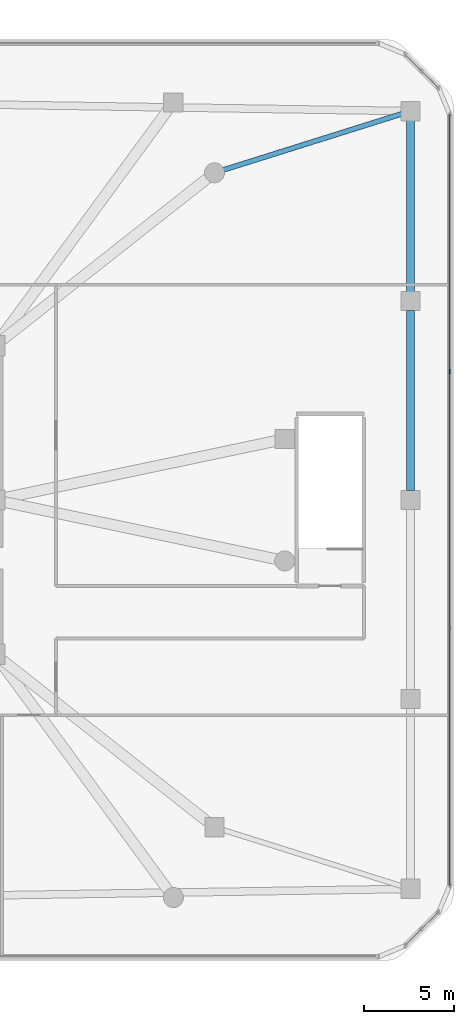
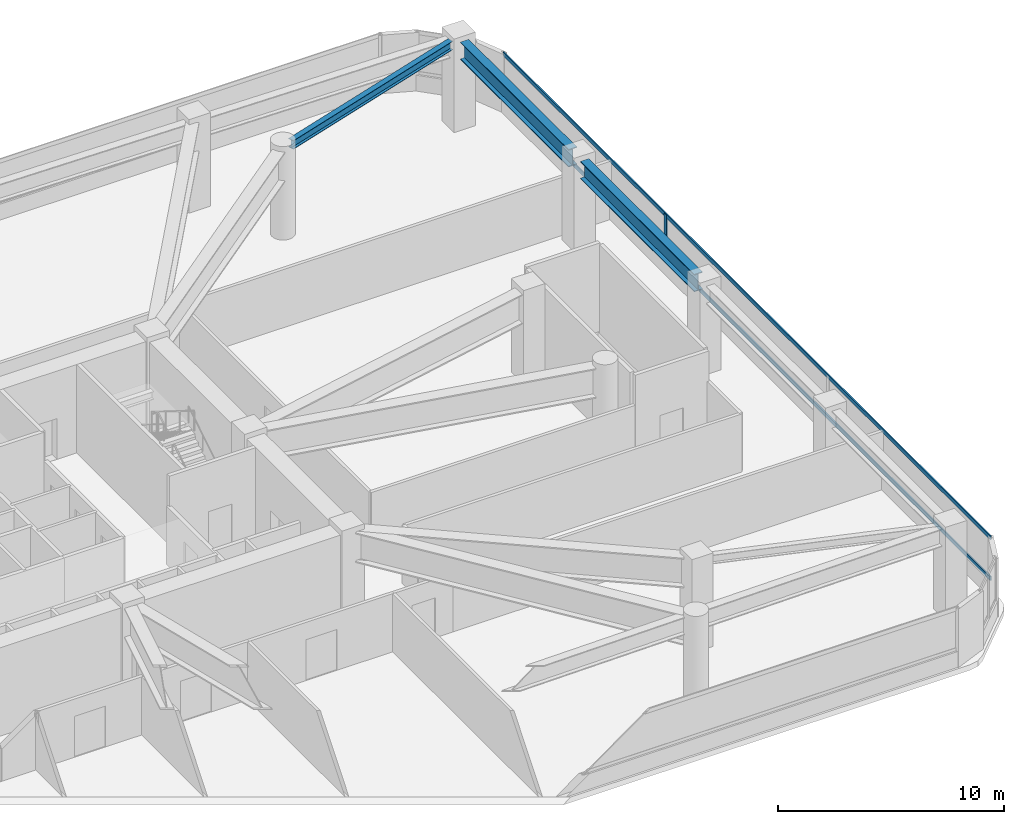
# One storey, part 10 of 21: 3 beams, 3 members, 1 element without a shape of its own.
"""IFC4 building model written with IfcOpenShell, lengths in metres."""

from ifc_helpers import new_model, si_unit, derived_unit, direction, frame, origin, origin_2d, place, context, subcontext, project, spatial, rectangle, i_section, extrude, material, material_profile, profile_set, type_object, element, aggregate, save


model = new_model("IFC4")

# Units and contexts
model_context = context("Model", 3, precision=1e-05, world=origin(), true_north=direction((0.0, 1.0)))
body_context = subcontext(model_context, "Body", "Model", "MODEL_VIEW")
ifc_project = project(units=[si_unit("LENGTHUNIT", "METRE"), si_unit("AREAUNIT", "SQUARE_METRE"), si_unit("VOLUMEUNIT", "CUBIC_METRE"), si_unit("PLANEANGLEUNIT", "RADIAN"), si_unit("MASSUNIT", "GRAM", prefix="KILO"), derived_unit("THERMALTRANSMITTANCEUNIT", [(si_unit("POWERUNIT", "WATT"), 1), (si_unit("LENGTHUNIT", "METRE"), -2), (si_unit("THERMODYNAMICTEMPERATUREUNIT", "KELVIN"), -1)])], contexts=[model_context])

# Site, building, storey
site_placement = place(None, origin())
site = spatial("IfcSite", under=ifc_project, at=site_placement, CompositionType="ELEMENT")
building_placement = place(site_placement, origin())
building = spatial("IfcBuilding", under=site, at=building_placement, Name="Koralith Skygarden Medical Center", CompositionType="ELEMENT")
storey_placement = place(building_placement, frame((0.0, 0.0, 18.89990234375)))
storey = spatial("IfcBuildingStorey", under=building, at=storey_placement, Name="L04", CompositionType="ELEMENT", Elevation=18.89990234375)

# Curtain wall, members
ifc_material_1 = material(Name="Clear Laminated Glass", Category="glass")
curtain_wall_type = type_object("IfcCurtainWallType", Name="CW-1 Transit & Podium Acoustic Curtain Wall", PredefinedType="NOTDEFINED", material=ifc_material_1)
curtain_wall_placement = place(storey_placement, origin())
curtain_wall = element("IfcCurtainWall", 1, at=curtain_wall_placement, inside=storey, type_object=curtain_wall_type, Name="Curtain Wall CW-L04-E", PredefinedType="NOTDEFINED")
ifc_material_2 = material(Name="Aluminium 6063-T6", Category="aluminium")
ifc_material_profile_1 = material_profile(ifc_material_2, rectangle(XDim=0.068115234375, YDim=0.239990234375, at=origin_2d()), Name="MUL68X240")
ifc_profile_set_1 = profile_set([ifc_material_profile_1], Name="Aluminium 6063-T6")
member_type_1 = type_object("IfcMemberType", Name="CW-1 Extruded Mullion 68x240", PredefinedType="MULLION", material=ifc_profile_set_1)
member_1_placement = place(storey_placement, frame((73.580078125, 33.073974609375, 0.85009765625), z_axis=(0.0, 0.0, 1.0), x_axis=(1.0, 0.0, 0.0)))
member_1 = element("IfcMember", 2, at=member_1_placement, type_object=member_type_1, Name="CW-L04-E Mullion 3", PredefinedType="MULLION", context=body_context, shape_type="SweptSolid", body=[
    extrude(rectangle(XDim=0.068115234375, YDim=0.239990234375, at=origin_2d()), origin(), (0.0, 0.0, 1.0), 2.300048828125),
])
ifc_material_profile_2 = material_profile(ifc_material_2, rectangle(XDim=0.06298828125, YDim=0.216064453125, at=origin_2d()), Name="TRN63X216")
ifc_profile_set_2 = profile_set([ifc_material_profile_2], Name="Aluminium 6063-T6")
member_type_2 = type_object("IfcMemberType", Name="CW-1 Thermal Transom 63x216", PredefinedType="USERDEFINED", material=ifc_profile_set_2)
member_2_placement = place(storey_placement, frame((73.580078125, 4.37890625, 0.900146484375), z_axis=(0.0, 1.0, 0.0), x_axis=(-1.0, 0.0, 0.0)))
member_2 = element("IfcMember", 3, at=member_2_placement, type_object=member_type_2, Name="CW-L04-E Transom 1", ObjectType="TRANSOM", PredefinedType="USERDEFINED", context=body_context, shape_type="SweptSolid", body=[
    extrude(rectangle(XDim=0.06298828125, YDim=0.216064453125, at=origin_2d()), origin(), (0.0, 0.0, 1.0), 43.0419921875),
])
member_3_placement = place(storey_placement, frame((73.580078125, 4.37890625, 3.10009765625), z_axis=(0.0, 1.0, 0.0), x_axis=(-1.0, 0.0, 0.0)))
member_3 = element("IfcMember", 4, at=member_3_placement, type_object=member_type_2, Name="CW-L04-E Transom 2", ObjectType="TRANSOM", PredefinedType="USERDEFINED", context=body_context, shape_type="SweptSolid", body=[
    extrude(rectangle(XDim=0.06298828125, YDim=0.216064453125, at=origin_2d()), origin(), (0.0, 0.0, 1.0), 43.0419921875),
])
aggregate(curtain_wall, [member_1, member_2, member_3])

# Beams
ifc_material_3 = material(Name="Steel ASTM A992 Grade 50", Category="steel")
ifc_material_profile_3 = material_profile(ifc_material_3, i_section(OverallWidth=0.423095703125, OverallDepth=0.947998046875, WebThickness=0.02392578125, FlangeThickness=0.042724609375, at=origin_2d()), Name="W36X302")
ifc_profile_set_3 = profile_set([ifc_material_profile_3], Name="Steel ASTM A992 Grade 50")
beam_type_1 = type_object("IfcBeamType", Name="Podium Concourse Girder W36X302", PredefinedType="BEAM", material=ifc_profile_set_3)
beam_1_placement = place(storey_placement, frame((71.39990234375, 26.419921875, 4.2861328125), z_axis=(0.0, 1.0, 0.0), x_axis=(-1.0, 0.0, 0.0)))
element("IfcBeam", 5, at=beam_1_placement, inside=storey, type_object=beam_type_1, Name="L04 Podium Perimeter Beam PB-07", PredefinedType="BEAM", context=body_context, shape_type="SweptSolid", body=[
    extrude(i_section(OverallWidth=0.423095703125, OverallDepth=0.947998046875, WebThickness=0.02392578125, FlangeThickness=0.042724609375, at=origin_2d()), origin(), (0.0, 0.0, 1.0), 10.06005859375),
])
beam_2_placement = place(storey_placement, frame((71.39990234375, 37.52001953125, 4.2861328125), z_axis=(0.0, 1.0, 0.0), x_axis=(-1.0, 0.0, 0.0)))
element("IfcBeam", 6, at=beam_2_placement, inside=storey, type_object=beam_type_1, Name="L04 Podium Perimeter Beam PB-08", PredefinedType="BEAM", context=body_context, shape_type="SweptSolid", body=[
    extrude(i_section(OverallWidth=0.423095703125, OverallDepth=0.947998046875, WebThickness=0.02392578125, FlangeThickness=0.042724609375, at=origin_2d()), origin(), (0.0, 0.0, 1.0), 9.56005859375),
])
ifc_material_profile_4 = material_profile(ifc_material_3, i_section(OverallWidth=0.281982421875, OverallDepth=0.467041015625, WebThickness=0.01220703125, FlangeThickness=0.01953125, at=origin_2d()), Name="W18X86")
ifc_profile_set_4 = profile_set([ifc_material_profile_4], Name="Steel ASTM A992 Grade 50")
beam_type_2 = type_object("IfcBeamType", Name="Podium Floor Joist W18X86", PredefinedType="JOIST", material=ifc_profile_set_4)
beam_3_placement = place(storey_placement, frame((60.9560546875, 44.31591796875, 4.527099609375), z_axis=(0.95394817002, 0.29997148017, 0.0), x_axis=(-0.29997148017, 0.95394817002, 0.0)))
element("IfcBeam", 7, at=beam_3_placement, inside=storey, type_object=beam_type_2, Name="L04 Podium Floor Joist PJ-04", PredefinedType="JOIST", context=body_context, shape_type="SweptSolid", body=[
    extrude(i_section(OverallWidth=0.281982421875, OverallDepth=0.467041015625, WebThickness=0.01220703125, FlangeThickness=0.01953125, at=origin_2d()), origin(), (0.0, 0.0, 1.0), 10.42822265625),
])

save(model, "model.ifc")
